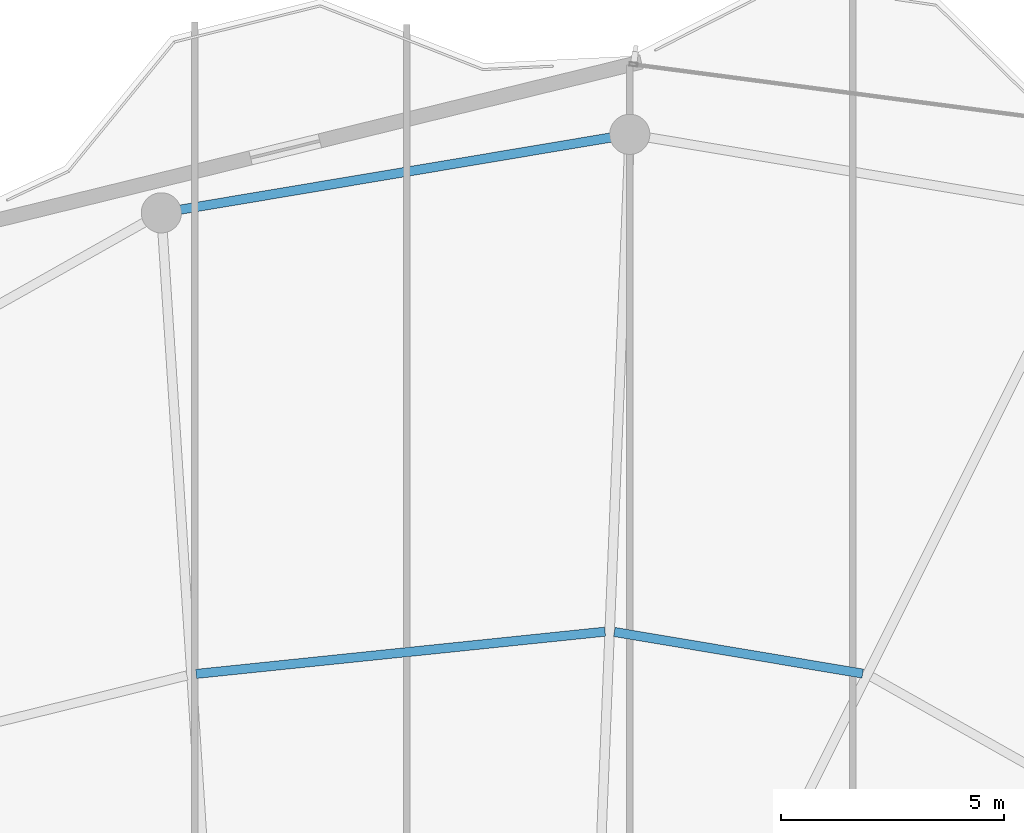
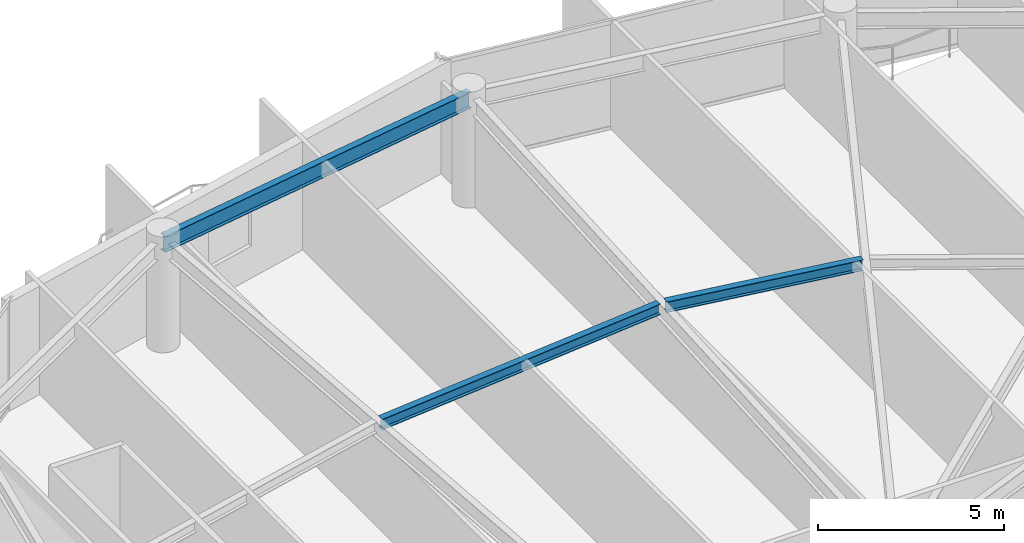
# One storey, part 20 of 30: 3 beams.
"""IFC4 building model written with IfcOpenShell, lengths in metres."""

from ifc_helpers import new_model, si_unit, direction, frame, origin, origin_2d, place, context, subcontext, project, spatial, i_section, extrude, material, material_profile, profile_set, type_object, element, save


model = new_model("IFC4")

# Units and contexts
model_context = context("Model", 3, precision=1e-05, world=origin(), true_north=direction((0.0, 1.0)))
body_context = subcontext(model_context, "Body", "Model", "MODEL_VIEW")
ifc_project = project(units=[si_unit("LENGTHUNIT", "METRE"), si_unit("AREAUNIT", "SQUARE_METRE"), si_unit("VOLUMEUNIT", "CUBIC_METRE"), si_unit("PLANEANGLEUNIT", "RADIAN"), si_unit("MASSUNIT", "GRAM", prefix="KILO")], contexts=[model_context])

# Site, building, storey
site_placement = place(None, origin())
site = spatial("IfcSite", under=ifc_project, at=site_placement, CompositionType="ELEMENT")
building_placement = place(site_placement, origin())
building = spatial("IfcBuilding", under=site, at=building_placement, Name="Kazevale Care Tower and Concert Hall", CompositionType="ELEMENT")
storey_placement = place(building_placement, frame((0.0, 0.0, 258.60009765625)))
storey = spatial("IfcBuildingStorey", under=building, at=storey_placement, Name="L68", CompositionType="ELEMENT", Elevation=258.60009765625)

# Beams
ifc_material = material(Name="Steel ASTM A572 Gr 50", Category="steel")
ifc_material_profile_1 = material_profile(ifc_material, i_section(OverallWidth=0.205078125, OverallDepth=0.35400390625, WebThickness=0.009521484375, FlangeThickness=0.016845703125, at=origin_2d()), Name="W360x79")
ifc_profile_set_1 = profile_set([ifc_material_profile_1], Name="Steel ASTM A572 Gr 50")
beam_type_1 = type_object("IfcBeamType", Name="Secondary Floor Joist W360x79", PredefinedType="JOIST", material=ifc_profile_set_1)
beam_1_placement = place(storey_placement, frame((50.220947265625, 49.06201171875, 3.3828125), z_axis=(-0.986241534462, 0.165310724705, 0.0), x_axis=(-0.165310724705, -0.986241534462, 0.0)))
element("IfcBeam", 1, at=beam_1_placement, inside=storey, type_object=beam_type_1, Name="beam:L68:joist:04", PredefinedType="JOIST", context=body_context, shape_type="SweptSolid", body=[
    extrude(i_section(OverallWidth=0.205078125, OverallDepth=0.35400390625, WebThickness=0.009521484375, FlangeThickness=0.016845703125, at=origin_2d()), origin(), (0.0, 0.0, 1.0), 5.64453125),
])
beam_2_placement = place(storey_placement, frame((44.446044921875, 50.001953125, 3.3828125), z_axis=(-0.994706089671, -0.10276086401, 0.0), x_axis=(0.10276086401, -0.994706089671, 0.0)))
element("IfcBeam", 2, at=beam_2_placement, inside=storey, type_object=beam_type_1, Name="beam:L68:joist:05", PredefinedType="JOIST", context=body_context, shape_type="SweptSolid", body=[
    extrude(i_section(OverallWidth=0.205078125, OverallDepth=0.35400390625, WebThickness=0.009521484375, FlangeThickness=0.016845703125, at=origin_2d()), origin(), (0.0, 0.0, 1.0), 9.2158203125),
])
ifc_material_profile_2 = material_profile(ifc_material, i_section(OverallWidth=0.208984375, OverallDepth=0.532958984375, WebThickness=0.01025390625, FlangeThickness=0.015625, at=origin_2d()), Name="W530x92")
ifc_profile_set_2 = profile_set([ifc_material_profile_2], Name="Steel ASTM A572 Gr 50")
beam_type_2 = type_object("IfcBeamType", Name="Upper Ring Beam W530x92", PredefinedType="BEAM", material=ifc_profile_set_2)
beam_3_placement = place(storey_placement, frame((45.0, 61.14990234375, 3.29345703125), z_axis=(-0.986241035683, -0.165313700387, 0.0), x_axis=(0.165313700387, -0.986241035683, 0.0)))
element("IfcBeam", 3, at=beam_3_placement, inside=storey, type_object=beam_type_2, Name="beam:L68:ring:05", PredefinedType="BEAM", context=body_context, shape_type="SweptSolid", body=[
    extrude(i_section(OverallWidth=0.208984375, OverallDepth=0.532958984375, WebThickness=0.01025390625, FlangeThickness=0.015625, at=origin_2d()), origin(), (0.0, 0.0, 1.0), 10.646484375),
])

save(model, "model.ifc")
